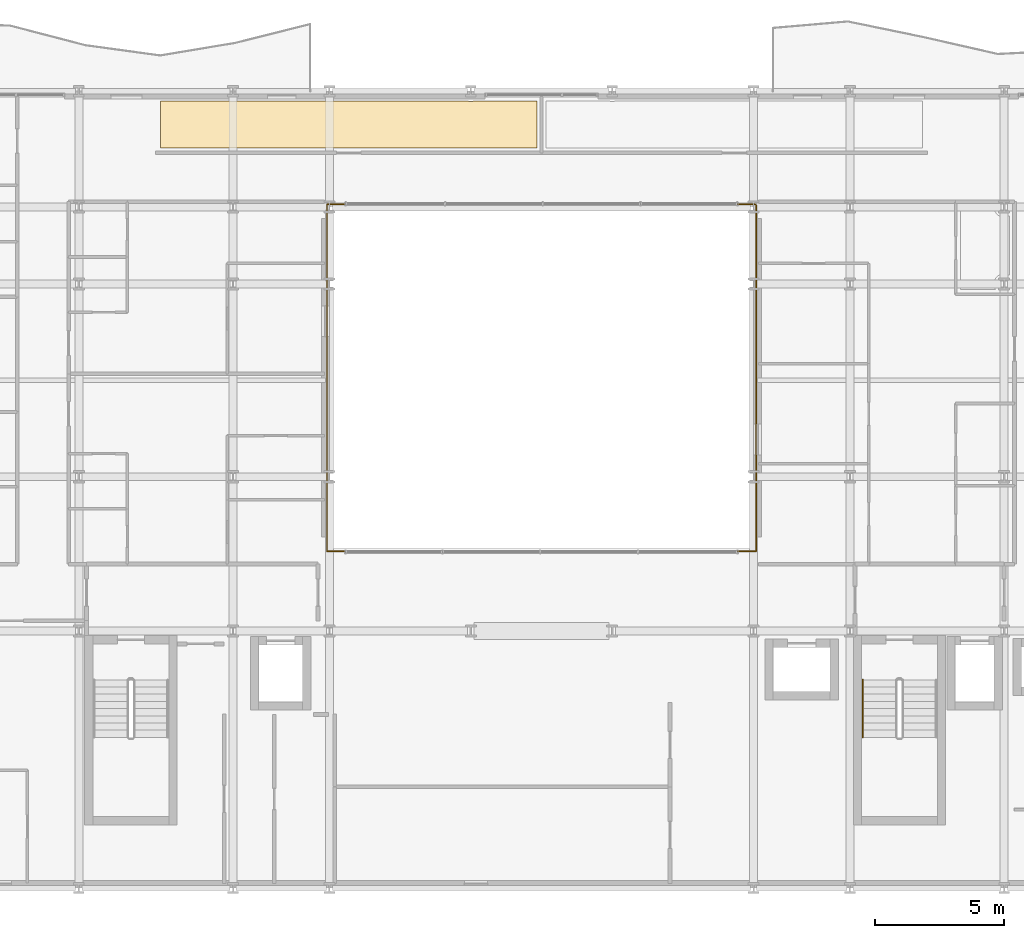
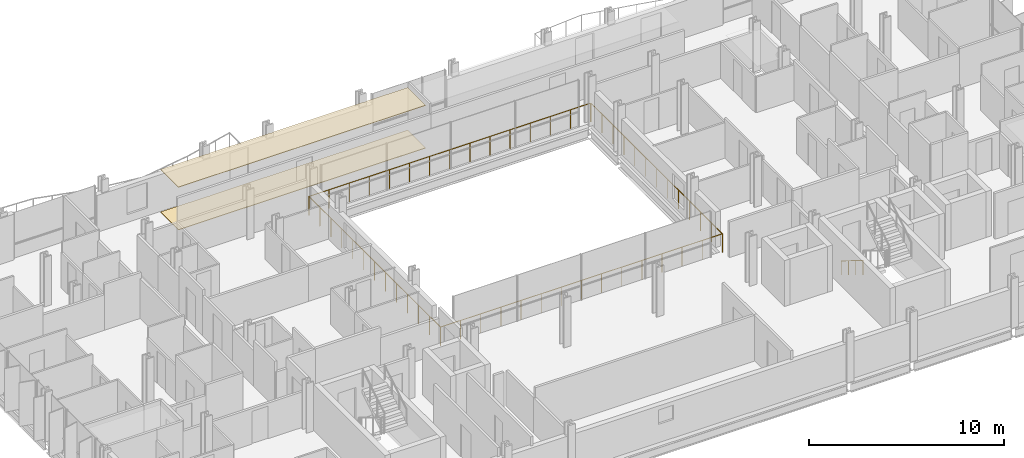
# One storey, part 36 of 38: 3 railings, 2 coverings.
"""IFC4 building model written with IfcOpenShell, lengths in metres."""

from ifc_helpers import new_model, si_unit, direction, frame, origin, origin_2d, place, context, subcontext, project, spatial, polyline, circle, outline, extrude, material, layer, layer_set, type_object, element, save


model = new_model("IFC4")

# Units and contexts
model_context = context("Model", 3, precision=1e-05, world=origin(), true_north=direction((0.0, 1.0)))
body_context = subcontext(model_context, "Body", "Model", "MODEL_VIEW")
ifc_project = project(units=[si_unit("LENGTHUNIT", "METRE"), si_unit("AREAUNIT", "SQUARE_METRE"), si_unit("VOLUMEUNIT", "CUBIC_METRE"), si_unit("PLANEANGLEUNIT", "RADIAN"), si_unit("MASSUNIT", "GRAM", prefix="KILO")], contexts=[model_context])

# Site, building, storey
site_placement = place(None, origin())
site = spatial("IfcSite", under=ifc_project, at=site_placement, CompositionType="ELEMENT")
building_placement = place(site_placement, origin())
building = spatial("IfcBuilding", under=site, at=building_placement, Name="Brevholm Reach", CompositionType="ELEMENT")
storey_placement = place(building_placement, frame((0.0, 0.0, 46.60009765625)))
storey = spatial("IfcBuildingStorey", under=building, at=storey_placement, Name="L12", CompositionType="ELEMENT", Elevation=46.60009765625)

# Coverings
ifc_material_1 = material(Name="Moisture-Resistant Skimmed Gypsum Plasterboard Ceiling", Category="gypsum")
ifc_layer_1 = layer(ifc_material_1, 0.030029296875)
ifc_layer_set_1 = layer_set([ifc_layer_1], Name="Moisture-Resistant Skimmed Gypsum Plasterboard Ceiling")
covering_type_1 = type_object("IfcCoveringType", Name="COV-CLG-GYP", PredefinedType="CEILING", material=ifc_layer_set_1)
covering_1_placement = place(storey_placement, frame((0.0, 0.0, 2.669921875)))
element("IfcCovering", 1, at=covering_1_placement, inside=storey, type_object=covering_type_1, Name="L12 Suspended Ceiling L12-75", PredefinedType="CEILING", context=body_context, shape_type="SweptSolid", body=[
    extrude(outline(polyline([(15.179931640625, 30.6201171875), (17.876220703125, 30.6201171875), (17.8837890625, 30.6171875), (17.922119140625, 30.607666015625), (17.960693359375, 30.601806640625), (18.0, 30.60009765625), (18.039306640625, 30.601806640625), (18.077880859375, 30.607666015625), (18.1162109375, 30.6171875), (18.123779296875, 30.6201171875), (21.626220703125, 30.6201171875), (21.6337890625, 30.6171875), (21.672119140625, 30.607666015625), (21.710693359375, 30.601806640625), (21.75, 30.60009765625), (21.789306640625, 30.601806640625), (21.827880859375, 30.607666015625), (21.8662109375, 30.6171875), (21.873779296875, 30.6201171875), (27.126220703125, 30.6201171875), (27.1337890625, 30.6171875), (27.172119140625, 30.607666015625), (27.210693359375, 30.601806640625), (27.25, 30.60009765625), (27.289306640625, 30.601806640625), (27.327880859375, 30.607666015625), (27.3662109375, 30.6171875), (27.373779296875, 30.6201171875), (29.820068359375, 30.6201171875), (29.820068359375, 28.783935546875), (15.179931640625, 28.783935546875), (15.179931640625, 30.6201171875)])), origin(), (0.0, 0.0, 1.0), 0.030029296875),
])
ifc_material_2 = material(Name="Honed Portland-Aggregate Resin Terrazzo Flooring", Category="concrete")
ifc_layer_2 = layer(ifc_material_2, 0.031982421875)
ifc_layer_set_2 = layer_set([ifc_layer_2], Name="Honed Portland-Aggregate Resin Terrazzo Flooring")
covering_type_2 = type_object("IfcCoveringType", Name="COV-FLR-TRZ", PredefinedType="FLOORING", material=ifc_layer_set_2)
covering_2_placement = place(storey_placement, origin())
element("IfcCovering", 2, at=covering_2_placement, inside=storey, type_object=covering_type_2, Name="L12 Floor Finish L12-75", PredefinedType="FLOORING", context=body_context, shape_type="SweptSolid", body=[
    extrude(outline(polyline([(15.179931640625, 30.6201171875), (17.876220703125, 30.6201171875), (17.8837890625, 30.6171875), (17.922119140625, 30.607666015625), (17.960693359375, 30.601806640625), (18.0, 30.60009765625), (18.039306640625, 30.601806640625), (18.077880859375, 30.607666015625), (18.1162109375, 30.6171875), (18.123779296875, 30.6201171875), (21.626220703125, 30.6201171875), (21.6337890625, 30.6171875), (21.672119140625, 30.607666015625), (21.710693359375, 30.601806640625), (21.75, 30.60009765625), (21.789306640625, 30.601806640625), (21.827880859375, 30.607666015625), (21.8662109375, 30.6171875), (21.873779296875, 30.6201171875), (27.126220703125, 30.6201171875), (27.1337890625, 30.6171875), (27.172119140625, 30.607666015625), (27.210693359375, 30.601806640625), (27.25, 30.60009765625), (27.289306640625, 30.601806640625), (27.327880859375, 30.607666015625), (27.3662109375, 30.6171875), (27.373779296875, 30.6201171875), (29.820068359375, 30.6201171875), (29.820068359375, 28.783935546875), (15.179931640625, 28.783935546875), (15.179931640625, 30.6201171875)])), origin(), (0.0, 0.0, 1.0), 0.031982421875),
])

# Railings
ifc_material_3 = material(Name="Brushed Stainless Steel EN 1.4401 Continuous Handrail", Category="steel")
railing_type_1 = type_object("IfcRailingType", Name="RAL-HND-950", PredefinedType="HANDRAIL", material=ifc_material_3)
railing_1_placement = place(storey_placement, frame((42.5, 8.10009765625, 0.172119140625)))
element("IfcRailing", 3, at=railing_1_placement, inside=storey, type_object=railing_type_1, Name="L12 ST-2 stair handrail 1", PredefinedType="HANDRAIL", context=body_context, shape_type="SweptSolid", body=[
    extrude(circle(Radius=0.02392578125, at=origin_2d()), frame((0.0, 0.0, 0.8857421875), z_axis=(0.0, -0.85178898068, 0.523885037382), x_axis=(1.0, 0.0, 0.0)), (0.0, 0.0, 1.0), 2.629638671875),
    extrude(circle(Radius=0.02099609375, at=origin_2d()), origin(), (0.0, 0.0, 1.0), 0.86181640625),
    extrude(circle(Radius=0.02099609375, at=origin_2d()), frame((0.0, -0.74658203125, 0.459228515625)), (0.0, 0.0, 1.0), 0.86181640625),
    extrude(circle(Radius=0.02099609375, at=origin_2d()), frame((0.0, -1.493408203125, 0.91845703125)), (0.0, 0.0, 1.0), 0.86181640625),
    extrude(circle(Radius=0.02099609375, at=origin_2d()), frame((0.0, -2.239990234375, 1.377685546875)), (0.0, 0.0, 1.0), 0.86181640625),
])
ifc_material_4 = material(Name="Brushed Stainless Steel EN 1.4401 and Laminated Glass", Category="steel")
railing_type_2 = type_object("IfcRailingType", Name="RAL-TERR-1200", PredefinedType="BALUSTRADE", material=ifc_material_4)
railing_2_placement = place(storey_placement, frame((21.64990234375, 13.10009765625, 0.0)))
element("IfcRailing", 4, at=railing_2_placement, inside=storey, type_object=railing_type_2, Name="L12 Guard Balustrade RAL-L12-AT-VOID-SW", PredefinedType="BALUSTRADE", context=body_context, shape_type="SweptSolid", body=[
    extrude(circle(Radius=0.02392578125, at=origin_2d()), frame((0.0, 0.0, 1.17578125), z_axis=(1.0, 0.0, 0.0), x_axis=(0.0, 1.0, 0.0)), (0.0, 0.0, 1.0), 16.7001953125),
    extrude(circle(Radius=0.02392578125, at=origin_2d()), frame((16.7001953125, 0.0, 1.17578125), z_axis=(0.0, 1.0, 0.0), x_axis=(-1.0, 0.0, 0.0)), (0.0, 0.0, 1.0), 13.47998046875),
    extrude(circle(Radius=0.02099609375, at=origin_2d()), origin(), (0.0, 0.0, 1.0), 1.15185546875),
    extrude(circle(Radius=0.02099609375, at=origin_2d()), frame((1.19287109375, 0.0, 0.0)), (0.0, 0.0, 1.0), 1.15185546875),
    extrude(circle(Radius=0.02099609375, at=origin_2d()), frame((2.3857421875, 0.0, 0.0)), (0.0, 0.0, 1.0), 1.15185546875),
    extrude(circle(Radius=0.02099609375, at=origin_2d()), frame((3.57861328125, 0.0, 0.0)), (0.0, 0.0, 1.0), 1.15185546875),
    extrude(circle(Radius=0.02099609375, at=origin_2d()), frame((4.771484375, 0.0, 0.0)), (0.0, 0.0, 1.0), 1.15185546875),
    extrude(circle(Radius=0.02099609375, at=origin_2d()), frame((5.96435546875, 0.0, 0.0)), (0.0, 0.0, 1.0), 1.15185546875),
    extrude(circle(Radius=0.02099609375, at=origin_2d()), frame((7.1572265625, 0.0, 0.0)), (0.0, 0.0, 1.0), 1.15185546875),
    extrude(circle(Radius=0.02099609375, at=origin_2d()), frame((8.35009765625, 0.0, 0.0)), (0.0, 0.0, 1.0), 1.15185546875),
    extrude(circle(Radius=0.02099609375, at=origin_2d()), frame((9.54296875, 0.0, 0.0)), (0.0, 0.0, 1.0), 1.15185546875),
    extrude(circle(Radius=0.02099609375, at=origin_2d()), frame((10.73583984375, 0.0, 0.0)), (0.0, 0.0, 1.0), 1.15185546875),
    extrude(circle(Radius=0.02099609375, at=origin_2d()), frame((11.9287109375, 0.0, 0.0)), (0.0, 0.0, 1.0), 1.15185546875),
    extrude(circle(Radius=0.02099609375, at=origin_2d()), frame((13.12158203125, 0.0, 0.0)), (0.0, 0.0, 1.0), 1.15185546875),
    extrude(circle(Radius=0.02099609375, at=origin_2d()), frame((14.314453125, 0.0, 0.0)), (0.0, 0.0, 1.0), 1.15185546875),
    extrude(circle(Radius=0.02099609375, at=origin_2d()), frame((15.50732421875, 0.0, 0.0)), (0.0, 0.0, 1.0), 1.15185546875),
    extrude(circle(Radius=0.02099609375, at=origin_2d()), frame((16.7001953125, 0.0, 0.0)), (0.0, 0.0, 1.0), 1.15185546875),
    extrude(circle(Radius=0.02099609375, at=origin_2d()), frame((16.7001953125, 1.123291015625, 0.0)), (0.0, 0.0, 1.0), 1.15185546875),
    extrude(circle(Radius=0.02099609375, at=origin_2d()), frame((16.7001953125, 2.24658203125, 0.0)), (0.0, 0.0, 1.0), 1.15185546875),
    extrude(circle(Radius=0.02099609375, at=origin_2d()), frame((16.7001953125, 3.3701171875, 0.0)), (0.0, 0.0, 1.0), 1.15185546875),
    extrude(circle(Radius=0.02099609375, at=origin_2d()), frame((16.7001953125, 4.493408203125, 0.0)), (0.0, 0.0, 1.0), 1.15185546875),
    extrude(circle(Radius=0.02099609375, at=origin_2d()), frame((16.7001953125, 5.61669921875, 0.0)), (0.0, 0.0, 1.0), 1.15185546875),
    extrude(circle(Radius=0.02099609375, at=origin_2d()), frame((16.7001953125, 6.739990234375, 0.0)), (0.0, 0.0, 1.0), 1.15185546875),
    extrude(circle(Radius=0.02099609375, at=origin_2d()), frame((16.7001953125, 7.86328125, 0.0)), (0.0, 0.0, 1.0), 1.15185546875),
    extrude(circle(Radius=0.02099609375, at=origin_2d()), frame((16.7001953125, 8.986572265625, 0.0)), (0.0, 0.0, 1.0), 1.15185546875),
    extrude(circle(Radius=0.02099609375, at=origin_2d()), frame((16.7001953125, 10.10986328125, 0.0)), (0.0, 0.0, 1.0), 1.15185546875),
    extrude(circle(Radius=0.02099609375, at=origin_2d()), frame((16.7001953125, 11.2333984375, 0.0)), (0.0, 0.0, 1.0), 1.15185546875),
    extrude(circle(Radius=0.02099609375, at=origin_2d()), frame((16.7001953125, 12.356689453125, 0.0)), (0.0, 0.0, 1.0), 1.15185546875),
    extrude(circle(Radius=0.02099609375, at=origin_2d()), frame((16.7001953125, 13.47998046875, 0.0)), (0.0, 0.0, 1.0), 1.15185546875),
])
railing_3_placement = place(storey_placement, frame((38.330078125, 26.60009765625, 0.0)))
element("IfcRailing", 5, at=railing_3_placement, inside=storey, type_object=railing_type_2, Name="L12 Guard Balustrade RAL-L12-AT-VOID-NE", PredefinedType="BALUSTRADE", context=body_context, shape_type="SweptSolid", body=[
    extrude(circle(Radius=0.02392578125, at=origin_2d()), frame((0.0, 0.0, 1.17578125), z_axis=(-1.0, 0.0, 0.0), x_axis=(0.0, -1.0, 0.0)), (0.0, 0.0, 1.0), 16.68017578125),
    extrude(circle(Radius=0.02392578125, at=origin_2d()), frame((-16.68017578125, 0.0, 1.17578125), z_axis=(0.0, -1.0, 0.0), x_axis=(1.0, 0.0, 0.0)), (0.0, 0.0, 1.0), 13.47998046875),
    extrude(circle(Radius=0.02099609375, at=origin_2d()), origin(), (0.0, 0.0, 1.0), 1.15185546875),
    extrude(circle(Radius=0.02099609375, at=origin_2d()), frame((-1.19140625, 0.0, 0.0)), (0.0, 0.0, 1.0), 1.15185546875),
    extrude(circle(Radius=0.02099609375, at=origin_2d()), frame((-2.3828125, 0.0, 0.0)), (0.0, 0.0, 1.0), 1.15185546875),
    extrude(circle(Radius=0.02099609375, at=origin_2d()), frame((-3.57421875, 0.0, 0.0)), (0.0, 0.0, 1.0), 1.15185546875),
    extrude(circle(Radius=0.02099609375, at=origin_2d()), frame((-4.765869140625, 0.0, 0.0)), (0.0, 0.0, 1.0), 1.15185546875),
    extrude(circle(Radius=0.02099609375, at=origin_2d()), frame((-5.957275390625, 0.0, 0.0)), (0.0, 0.0, 1.0), 1.15185546875),
    extrude(circle(Radius=0.02099609375, at=origin_2d()), frame((-7.148681640625, 0.0, 0.0)), (0.0, 0.0, 1.0), 1.15185546875),
    extrude(circle(Radius=0.02099609375, at=origin_2d()), frame((-8.340087890625, 0.0, 0.0)), (0.0, 0.0, 1.0), 1.15185546875),
    extrude(circle(Radius=0.02099609375, at=origin_2d()), frame((-9.531494140625, 0.0, 0.0)), (0.0, 0.0, 1.0), 1.15185546875),
    extrude(circle(Radius=0.02099609375, at=origin_2d()), frame((-10.722900390625, 0.0, 0.0)), (0.0, 0.0, 1.0), 1.15185546875),
    extrude(circle(Radius=0.02099609375, at=origin_2d()), frame((-11.914306640625, 0.0, 0.0)), (0.0, 0.0, 1.0), 1.15185546875),
    extrude(circle(Radius=0.02099609375, at=origin_2d()), frame((-13.10595703125, 0.0, 0.0)), (0.0, 0.0, 1.0), 1.15185546875),
    extrude(circle(Radius=0.02099609375, at=origin_2d()), frame((-14.29736328125, 0.0, 0.0)), (0.0, 0.0, 1.0), 1.15185546875),
    extrude(circle(Radius=0.02099609375, at=origin_2d()), frame((-15.48876953125, 0.0, 0.0)), (0.0, 0.0, 1.0), 1.15185546875),
    extrude(circle(Radius=0.02099609375, at=origin_2d()), frame((-16.68017578125, 0.0, 0.0)), (0.0, 0.0, 1.0), 1.15185546875),
    extrude(circle(Radius=0.02099609375, at=origin_2d()), frame((-16.68017578125, -1.123291015625, 0.0)), (0.0, 0.0, 1.0), 1.15185546875),
    extrude(circle(Radius=0.02099609375, at=origin_2d()), frame((-16.68017578125, -2.24658203125, 0.0)), (0.0, 0.0, 1.0), 1.15185546875),
    extrude(circle(Radius=0.02099609375, at=origin_2d()), frame((-16.68017578125, -3.3701171875, 0.0)), (0.0, 0.0, 1.0), 1.15185546875),
    extrude(circle(Radius=0.02099609375, at=origin_2d()), frame((-16.68017578125, -4.493408203125, 0.0)), (0.0, 0.0, 1.0), 1.15185546875),
    extrude(circle(Radius=0.02099609375, at=origin_2d()), frame((-16.68017578125, -5.61669921875, 0.0)), (0.0, 0.0, 1.0), 1.15185546875),
    extrude(circle(Radius=0.02099609375, at=origin_2d()), frame((-16.68017578125, -6.739990234375, 0.0)), (0.0, 0.0, 1.0), 1.15185546875),
    extrude(circle(Radius=0.02099609375, at=origin_2d()), frame((-16.68017578125, -7.86328125, 0.0)), (0.0, 0.0, 1.0), 1.15185546875),
    extrude(circle(Radius=0.02099609375, at=origin_2d()), frame((-16.68017578125, -8.986572265625, 0.0)), (0.0, 0.0, 1.0), 1.15185546875),
    extrude(circle(Radius=0.02099609375, at=origin_2d()), frame((-16.68017578125, -10.10986328125, 0.0)), (0.0, 0.0, 1.0), 1.15185546875),
    extrude(circle(Radius=0.02099609375, at=origin_2d()), frame((-16.68017578125, -11.2333984375, 0.0)), (0.0, 0.0, 1.0), 1.15185546875),
    extrude(circle(Radius=0.02099609375, at=origin_2d()), frame((-16.68017578125, -12.356689453125, 0.0)), (0.0, 0.0, 1.0), 1.15185546875),
    extrude(circle(Radius=0.02099609375, at=origin_2d()), frame((-16.68017578125, -13.47998046875, 0.0)), (0.0, 0.0, 1.0), 1.15185546875),
])

save(model, "model.ifc")
